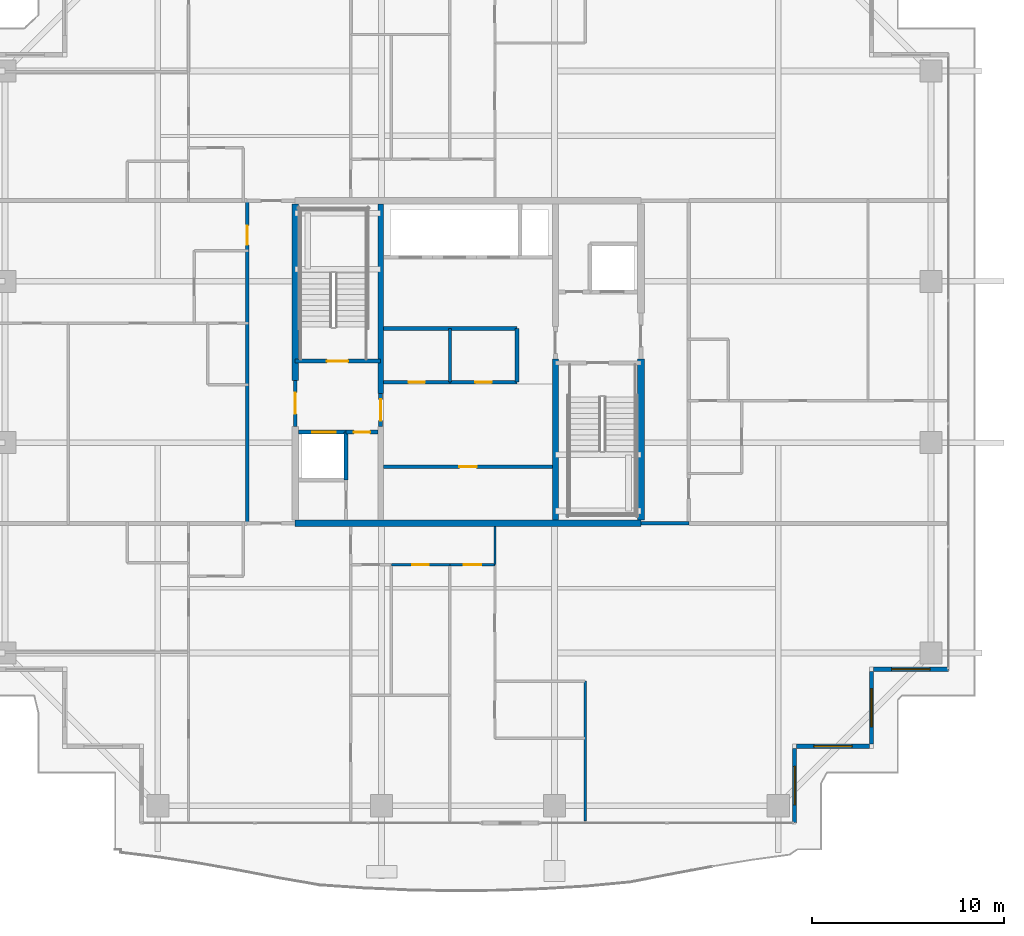
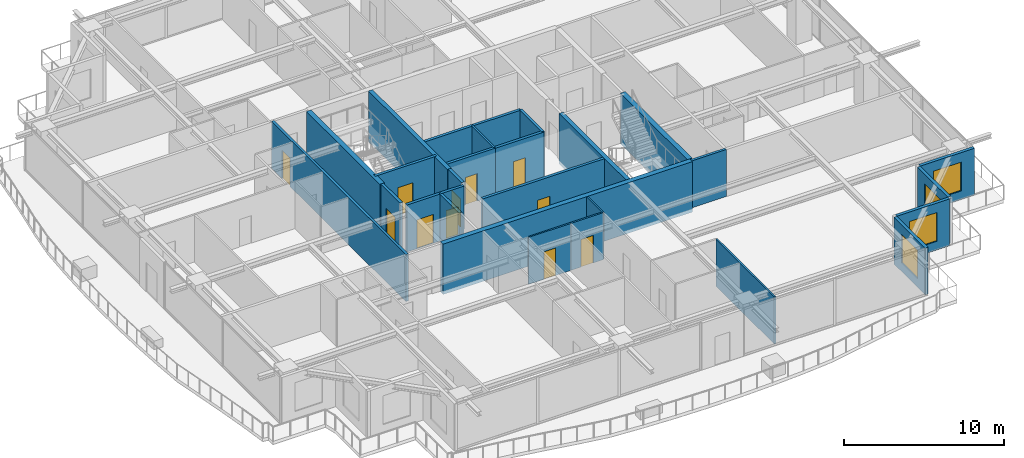
# One storey, part 26 of 36: 27 walls, 11 doors, 4 windows, 15 openings.
"""IFC4 building model written with IfcOpenShell, lengths in metres."""

from ifc_helpers import new_model, si_unit, direction, frame, frame_2d, origin, place, context, subcontext, project, spatial, rectangle, extrude, source, transform, mapped, material, layer, layer_set, type_object, element, fill, save


model = new_model("IFC4")

# Units and contexts
model_context = context("Model", 3, precision=1e-05, world=origin(), true_north=direction((0.0, 1.0)))
body_context = subcontext(model_context, "Body", "Model", "MODEL_VIEW")
ifc_project = project(units=[si_unit("LENGTHUNIT", "METRE"), si_unit("AREAUNIT", "SQUARE_METRE"), si_unit("VOLUMEUNIT", "CUBIC_METRE"), si_unit("PLANEANGLEUNIT", "RADIAN"), si_unit("MASSUNIT", "GRAM", prefix="KILO")], contexts=[model_context])

# Site, building, storey
site_placement = place(None, origin())
site = spatial("IfcSite", under=ifc_project, at=site_placement, CompositionType="ELEMENT")
building_placement = place(site_placement, origin())
building = spatial("IfcBuilding", under=site, at=building_placement, Name="Serunith Strait Residences", CompositionType="ELEMENT")
storey_placement = place(building_placement, frame((0.0, 0.0, 225.85009765625)))
storey = spatial("IfcBuildingStorey", under=building, at=storey_placement, Name="L56", CompositionType="ELEMENT", Elevation=225.85009765625)

# Wall, opening, window
ifc_material_1 = material(Name="Pale-Champagne Aluminium Insulated Panel", Category="aluminium")
ifc_layer_1 = layer(ifc_material_1, 0.219970703125, Name="Pale-Champagne Aluminium Insulated Panel")
ifc_layer_set_1 = layer_set([ifc_layer_1], Name="Pale-Champagne Aluminium Insulated Panel")
wall_type_1 = type_object("IfcWallType", Name="EW-ALUM-220", PredefinedType="ELEMENTEDWALL", material=ifc_layer_set_1)
wall_1_placement = place(storey_placement, frame((49.39990234375, 1.199951171875, 0.0), z_axis=(0.0, 0.0, 1.0), x_axis=(0.0, 1.0, 0.0)))
wall_1 = element("IfcWall", 1, at=wall_1_placement, inside=storey, type_object=wall_type_1, Name="L56 Girih Serrated Corner Wall 02", PredefinedType="ELEMENTEDWALL", context=body_context, shape_type="SweptSolid", body=[
    extrude(rectangle(XDim=3.89013671875, YDim=0.219970703125, at=frame_2d((1.945068359375, 0.0))), origin(), (0.0, 0.0, 1.0), 3.574951171875),
])
opening_1_placement = place(wall_1_placement, frame((0.945068359375, 0.0, 0.64990234375)))
opening_1 = element("IfcOpeningElement", 2, at=opening_1_placement, cuts=wall_1, Name="Opening W-04", PredefinedType="OPENING", context=body_context, shape_type="SweptSolid", body=[
    extrude(rectangle(XDim=2.0, YDim=2.199951171875, at=frame_2d((1.0, 1.10009765625))), frame((0.0, 0.1201171875, 0.0), z_axis=(0.0, -1.0, 0.0), x_axis=(1.0, 0.0, 0.0)), (0.0, 0.0, 1.0), 0.239990234375),
])
ifc_material_2 = material(Name="Ceramic-Fritted Operable Aluminium Window Glass", Category="aluminium")
window_type = type_object("IfcWindowType", Name="WIN-C4", PartitioningType="TRIPLE_PANEL_VERTICAL", PredefinedType="WINDOW", material=ifc_material_2)
shared_shape_1 = source(origin(), body_context, "Body", "SweptSolid", [
    extrude(rectangle(XDim=2.0, YDim=2.199951171875, at=frame_2d((1.0, 1.10009765625))), frame((0.0, 0.030029296875, 0.0), z_axis=(0.0, -1.0, 0.0), x_axis=(1.0, 0.0, 0.0)), (0.0, 0.0, 1.0), 0.06005859375),
])
window_1_placement = place(opening_1_placement, origin())
window_1 = element("IfcWindow", 3, at=window_1_placement, inside=storey, type_object=window_type, Name="L56 Corner Operable Fritted Window 02", OverallHeight=2.199951171875, OverallWidth=2.0, PartitioningType="SINGLE_PANEL", PredefinedType="WINDOW", context=body_context, shape_type="MappedRepresentation", body=[
    mapped(shared_shape_1, transform((0.0, 0.0, 0.0), scale=1.0)),
])
fill(opening_1, window_1)

wall_2_placement = place(storey_placement, frame((49.510009765625, 5.199951171875, 0.0), z_axis=(0.0, 0.0, 1.0), x_axis=(1.0, 0.0, 0.0)))
wall_2 = element("IfcWall", 4, at=wall_2_placement, inside=storey, type_object=wall_type_1, Name="L56 Girih Serrated Corner Wall 03", PredefinedType="ELEMENTEDWALL", context=body_context, shape_type="SweptSolid", body=[
    extrude(rectangle(XDim=3.780029296875, YDim=0.219970703125, at=frame_2d((1.89013671875, 0.0))), origin(), (0.0, 0.0, 1.0), 3.574951171875),
])
opening_2_placement = place(wall_2_placement, frame((0.889892578125, 0.0, 0.64990234375)))
opening_2 = element("IfcOpeningElement", 5, at=opening_2_placement, cuts=wall_2, Name="Opening W-04", PredefinedType="OPENING", context=body_context, shape_type="SweptSolid", body=[
    extrude(rectangle(XDim=2.0, YDim=2.199951171875, at=frame_2d((1.0, 1.10009765625))), frame((0.0, 0.1201171875, 0.0), z_axis=(0.0, -1.0, 0.0), x_axis=(1.0, 0.0, 0.0)), (0.0, 0.0, 1.0), 0.239990234375),
])
window_2_placement = place(opening_2_placement, origin())
window_2 = element("IfcWindow", 6, at=window_2_placement, inside=storey, type_object=window_type, Name="L56 Corner Operable Fritted Window 03", OverallHeight=2.199951171875, OverallWidth=2.0, PartitioningType="SINGLE_PANEL", PredefinedType="WINDOW", context=body_context, shape_type="MappedRepresentation", body=[
    mapped(shared_shape_1, transform((0.0, 0.0, 0.0), scale=1.0)),
])
fill(opening_2, window_2)

wall_3_placement = place(storey_placement, frame((53.39990234375, 5.31005859375, 0.0), z_axis=(0.0, 0.0, 1.0), x_axis=(0.0, 1.0, 0.0)))
wall_3 = element("IfcWall", 7, at=wall_3_placement, inside=storey, type_object=wall_type_1, Name="L56 Girih Serrated Corner Wall 04", PredefinedType="ELEMENTEDWALL", context=body_context, shape_type="SweptSolid", body=[
    extrude(rectangle(XDim=3.780029296875, YDim=0.219970703125, at=frame_2d((1.89013671875, 0.0))), origin(), (0.0, 0.0, 1.0), 3.574951171875),
])
opening_3_placement = place(wall_3_placement, frame((0.889892578125, 0.0, 0.64990234375)))
opening_3 = element("IfcOpeningElement", 8, at=opening_3_placement, cuts=wall_3, Name="Opening W-04", PredefinedType="OPENING", context=body_context, shape_type="SweptSolid", body=[
    extrude(rectangle(XDim=2.0, YDim=2.199951171875, at=frame_2d((1.0, 1.10009765625))), frame((0.0, 0.1201171875, 0.0), z_axis=(0.0, -1.0, 0.0), x_axis=(1.0, 0.0, 0.0)), (0.0, 0.0, 1.0), 0.239990234375),
])
window_3_placement = place(opening_3_placement, origin())
window_3 = element("IfcWindow", 9, at=window_3_placement, inside=storey, type_object=window_type, Name="L56 Corner Operable Fritted Window 04", OverallHeight=2.199951171875, OverallWidth=2.0, PartitioningType="SINGLE_PANEL", PredefinedType="WINDOW", context=body_context, shape_type="MappedRepresentation", body=[
    mapped(shared_shape_1, transform((0.0, 0.0, 0.0), scale=1.0)),
])
fill(opening_3, window_3)

wall_4_placement = place(storey_placement, frame((53.510009765625, 9.199951171875, 0.0), z_axis=(0.0, 0.0, 1.0), x_axis=(1.0, 0.0, 0.0)))
wall_4 = element("IfcWall", 10, at=wall_4_placement, inside=storey, type_object=wall_type_1, Name="L56 Girih Serrated Corner Wall 05", PredefinedType="ELEMENTEDWALL", context=body_context, shape_type="SweptSolid", body=[
    extrude(rectangle(XDim=3.889892578125, YDim=0.219970703125, at=frame_2d((1.94482421875, 0.0))), origin(), (0.0, 0.0, 1.0), 3.574951171875),
])
opening_4_placement = place(wall_4_placement, frame((0.945068359375, 0.0, 0.64990234375)))
opening_4 = element("IfcOpeningElement", 11, at=opening_4_placement, cuts=wall_4, Name="Opening W-04", PredefinedType="OPENING", context=body_context, shape_type="SweptSolid", body=[
    extrude(rectangle(XDim=2.0, YDim=2.199951171875, at=frame_2d((1.0, 1.10009765625))), frame((0.0, 0.1201171875, 0.0), z_axis=(0.0, -1.0, 0.0), x_axis=(1.0, 0.0, 0.0)), (0.0, 0.0, 1.0), 0.239990234375),
])
window_4_placement = place(opening_4_placement, origin())
window_4 = element("IfcWindow", 12, at=window_4_placement, inside=storey, type_object=window_type, Name="L56 Corner Operable Fritted Window 05", OverallHeight=2.199951171875, OverallWidth=2.0, PartitioningType="SINGLE_PANEL", PredefinedType="WINDOW", context=body_context, shape_type="MappedRepresentation", body=[
    mapped(shared_shape_1, transform((0.0, 0.0, 0.0), scale=1.0)),
])
fill(opening_4, window_4)

# Wall
ifc_material_3 = material(Name="Fire-rated masonry service closet wall", Category="masonry")
ifc_layer_2 = layer(ifc_material_3, 0.14990234375, Name="Fire-rated masonry service closet wall")
ifc_layer_set_2 = layer_set([ifc_layer_2], Name="Fire-rated masonry service closet wall")
wall_type_2 = type_object("IfcWallType", Name="IW-BOH-150", PredefinedType="PARTITIONING", material=ifc_layer_set_2)
wall_5_placement = place(storey_placement, frame((31.449951171875, 24.14990234375, 0.0), z_axis=(0.0, 0.0, 1.0), x_axis=(0.0, 1.0, 0.0)))
element("IfcWall", 13, at=wall_5_placement, inside=storey, type_object=wall_type_2, Name="L56 Partition Wall 017", PredefinedType="PARTITIONING", context=body_context, shape_type="SweptSolid", body=[
    extrude(rectangle(XDim=2.800048828125, YDim=0.14990234375, at=frame_2d((1.39990234375, 0.0))), origin(), (0.0, 0.0, 1.0), 3.58984375),
])

# Wall, opening, door
ifc_material_4 = material(Name="Fire-rated acoustic gypsum partition")
ifc_layer_3 = layer(ifc_material_4, 0.179931640625, Name="Fire-rated acoustic gypsum partition")
ifc_layer_set_3 = layer_set([ifc_layer_3], Name="Fire-rated acoustic gypsum partition")
wall_type_3 = type_object("IfcWallType", Name="IW-CORR-180", PredefinedType="PARTITIONING", material=ifc_layer_set_3)
wall_6_placement = place(storey_placement, frame((20.89990234375, 16.800048828125, 0.0), z_axis=(0.0, 0.0, 1.0), x_axis=(0.0, 1.0, 0.0)))
wall_6 = element("IfcWall", 14, at=wall_6_placement, inside=storey, type_object=wall_type_3, Name="L56 Partition Wall 024", PredefinedType="PARTITIONING", context=body_context, shape_type="SweptSolid", body=[
    extrude(rectangle(XDim=16.800048828125, YDim=0.179931640625, at=frame_2d((8.39990234375, 0.0))), origin(), (0.0, 0.0, 1.0), 3.58984375),
])
opening_5_placement = place(wall_6_placement, frame((14.5, 0.0, 0.0)))
opening_5 = element("IfcOpeningElement", 15, at=opening_5_placement, cuts=wall_6, Name="Opening D-APT1000", PredefinedType="OPENING", context=body_context, shape_type="SweptSolid", body=[
    extrude(rectangle(XDim=1.0, YDim=2.14990234375, at=frame_2d((0.5, 1.074951171875))), frame((0.0, 0.10009765625, 0.0), z_axis=(0.0, -1.0, 0.0), x_axis=(1.0, 0.0, 0.0)), (0.0, 0.0, 1.0), 0.199951171875),
])
ifc_material_5 = material(Name="Solid timber engineered fire door", Category="wood")
door_type_1 = type_object("IfcDoorType", Name="ID-APT-1000", OperationType="NOTDEFINED", PredefinedType="DOOR", material=ifc_material_5)
shared_shape_2 = source(origin(), body_context, "Body", "SweptSolid", [
    extrude(rectangle(XDim=1.0, YDim=2.14990234375, at=frame_2d((0.5, 1.074951171875))), frame((0.0, 0.02490234375, 0.0), z_axis=(0.0, -1.0, 0.0), x_axis=(1.0, 0.0, 0.0)), (0.0, 0.0, 1.0), 0.050048828125),
])
door_1_placement = place(opening_5_placement, origin())
door_1 = element("IfcDoor", 16, at=door_1_placement, inside=storey, type_object=door_type_1, Name="L56 Unit 03 Entrance Door", OperationType="SINGLE_SWING_LEFT", OverallHeight=2.14990234375, OverallWidth=1.0, PredefinedType="DOOR", context=body_context, shape_type="MappedRepresentation", body=[
    mapped(shared_shape_2, transform((0.0, 0.0, 0.0), scale=1.0)),
])
fill(opening_5, door_1)

# Wall
wall_7_placement = place(storey_placement, frame((41.402099609375, 16.800048828125, 0.0), z_axis=(0.0, 0.0, 1.0), x_axis=(1.0, 0.0, 0.0)))
element("IfcWall", 17, at=wall_7_placement, inside=storey, type_object=wall_type_3, Name="L56 Partition Wall 025", PredefinedType="PARTITIONING", context=body_context, shape_type="SweptSolid", body=[
    extrude(rectangle(XDim=2.495849609375, YDim=0.179931640625, at=frame_2d((1.248046875, 0.0))), origin(), (0.0, 0.0, 1.0), 3.58984375),
])

# Wall, opening, door
ifc_material_6 = material(Name="Lightweight steel-stud gypsum partition", Category="steel")
ifc_layer_4 = layer(ifc_material_6, 0.1201171875, Name="Lightweight steel-stud gypsum partition")
ifc_layer_set_4 = layer_set([ifc_layer_4], Name="Lightweight steel-stud gypsum partition")
wall_type_4 = type_object("IfcWallType", Name="IW-PART-120", PredefinedType="PARTITIONING", material=ifc_layer_set_4)
wall_8_placement = place(storey_placement, frame((28.402099609375, 14.64990234375, 0.0), z_axis=(0.0, 0.0, 1.0), x_axis=(1.0, 0.0, 0.0)))
wall_8 = element("IfcWall", 18, at=wall_8_placement, inside=storey, type_object=wall_type_4, Name="L56 Partition Wall 043", PredefinedType="PARTITIONING", context=body_context, shape_type="SweptSolid", body=[
    extrude(rectangle(XDim=3.0478515625, YDim=0.1201171875, at=frame_2d((1.52392578125, 0.0))), origin(), (0.0, 0.0, 1.0), 3.58984375),
])
opening_6_placement = place(wall_8_placement, frame((1.09912109375, 0.0, 0.0)))
opening_6 = element("IfcOpeningElement", 19, at=opening_6_placement, cuts=wall_8, Name="Opening D-RM850", PredefinedType="OPENING", context=body_context, shape_type="SweptSolid", body=[
    extrude(rectangle(XDim=0.85009765625, YDim=2.10009765625, at=frame_2d((0.425048828125, 1.050048828125))), frame((0.0, 0.070068359375, 0.0), z_axis=(0.0, -1.0, 0.0), x_axis=(1.0, 0.0, 0.0)), (0.0, 0.0, 1.0), 0.14013671875),
])
ifc_material_7 = material(Name="Engineered timber flush study and kitchen door", Category="wood")
door_type_2 = type_object("IfcDoorType", Name="ID-ROOM-850", OperationType="NOTDEFINED", PredefinedType="DOOR", material=ifc_material_7)
shared_shape_3 = source(origin(), body_context, "Body", "SweptSolid", [
    extrude(rectangle(XDim=0.85009765625, YDim=2.10009765625, at=frame_2d((0.425048828125, 1.050048828125))), frame((0.0, 0.02490234375, 0.0), z_axis=(0.0, -1.0, 0.0), x_axis=(1.0, 0.0, 0.0)), (0.0, 0.0, 1.0), 0.050048828125),
])
door_2_placement = place(opening_6_placement, origin())
door_2 = element("IfcDoor", 20, at=door_2_placement, inside=storey, type_object=door_type_2, Name="L56 Formal Dining Room 5601 Door", OperationType="SINGLE_SWING_RIGHT", OverallHeight=2.10009765625, OverallWidth=0.85009765625, PredefinedType="DOOR", context=body_context, shape_type="MappedRepresentation", body=[
    mapped(shared_shape_3, transform((0.0, 0.0, 0.0), scale=1.0)),
])
fill(opening_6, door_2)

wall_9_placement = place(storey_placement, frame((31.451904296875, 14.64990234375, 0.0), z_axis=(0.0, 0.0, 1.0), x_axis=(1.0, 0.0, 0.0)))
wall_9 = element("IfcWall", 21, at=wall_9_placement, inside=storey, type_object=wall_type_4, Name="L56 Partition Wall 044", PredefinedType="PARTITIONING", context=body_context, shape_type="SweptSolid", body=[
    extrude(rectangle(XDim=2.34814453125, YDim=0.1201171875, at=frame_2d((1.174072265625, 0.0))), origin(), (0.0, 0.0, 1.0), 3.58984375),
])
opening_7_placement = place(wall_9_placement, frame((0.72412109375, 0.0, 0.0)))
opening_7 = element("IfcOpeningElement", 22, at=opening_7_placement, cuts=wall_9, Name="Opening D-RM900", PredefinedType="OPENING", context=body_context, shape_type="SweptSolid", body=[
    extrude(rectangle(XDim=0.89990234375, YDim=2.10009765625, at=frame_2d((0.449951171875, 1.050048828125))), frame((0.0, 0.070068359375, 0.0), z_axis=(0.0, -1.0, 0.0), x_axis=(1.0, 0.0, 0.0)), (0.0, 0.0, 1.0), 0.14013671875),
])
ifc_material_8 = material(Name="Engineered timber flush bedroom door", Category="wood")
door_type_3 = type_object("IfcDoorType", Name="ID-ROOM-900", OperationType="NOTDEFINED", PredefinedType="DOOR", material=ifc_material_8)
shared_shape_4 = source(origin(), body_context, "Body", "SweptSolid", [
    extrude(rectangle(XDim=0.89990234375, YDim=2.10009765625, at=frame_2d((0.449951171875, 1.050048828125))), frame((0.0, 0.02490234375, 0.0), z_axis=(0.0, -1.0, 0.0), x_axis=(1.0, 0.0, 0.0)), (0.0, 0.0, 1.0), 0.050048828125),
])
door_3_placement = place(opening_7_placement, origin())
door_3 = element("IfcDoor", 23, at=door_3_placement, inside=storey, type_object=door_type_3, Name="L56 Master Bedroom E 5601 Door", OperationType="SINGLE_SWING_LEFT", OverallHeight=2.10009765625, OverallWidth=0.89990234375, PredefinedType="DOOR", context=body_context, shape_type="MappedRepresentation", body=[
    mapped(shared_shape_4, transform((0.0, 0.0, 0.0), scale=1.0)),
])
fill(opening_7, door_3)

# Walls
wall_10_placement = place(storey_placement, frame((38.5, 1.294921875, 0.0), z_axis=(0.0, 0.0, 1.0), x_axis=(0.0, 1.0, 0.0)))
element("IfcWall", 24, at=wall_10_placement, inside=storey, type_object=wall_type_4, Name="L56 Partition Wall 046", PredefinedType="PARTITIONING", context=body_context, shape_type="SweptSolid", body=[
    extrude(rectangle(XDim=7.29296875, YDim=0.1201171875, at=frame_2d((3.646484375, 0.0))), origin(), (0.0, 0.0, 1.0), 3.58984375),
])
wall_11_placement = place(storey_placement, frame((33.800048828125, 14.652099609375, 0.0), z_axis=(0.0, 0.0, 1.0), x_axis=(0.0, 1.0, 0.0)))
element("IfcWall", 25, at=wall_11_placement, inside=storey, type_object=wall_type_4, Name="L56 Partition Wall 050", PredefinedType="PARTITIONING", context=body_context, shape_type="SweptSolid", body=[
    extrude(rectangle(XDim=1.972900390625, YDim=0.1201171875, at=frame_2d((0.986328125, 0.0))), origin(), (0.0, 0.0, 1.0), 3.58984375),
])

# Wall, opening, door
ifc_material_9 = material(Name="Autoclaved aerated concrete blockwork", Category="masonry")
ifc_layer_5 = layer(ifc_material_9, 0.199951171875, Name="Autoclaved aerated concrete blockwork")
ifc_layer_set_5 = layer_set([ifc_layer_5], Name="Autoclaved aerated concrete blockwork")
wall_type_5 = type_object("IfcWallType", Name="IW-SHAFT-200", PredefinedType="STANDARD", material=ifc_layer_set_5)
wall_12_placement = place(storey_placement, frame((23.39990234375, 25.25, 0.0), z_axis=(0.0, 0.0, 1.0), x_axis=(1.0, 0.0, 0.0)))
wall_12 = element("IfcWall", 26, at=wall_12_placement, inside=storey, type_object=wall_type_5, Name="L56 ST-1 South Shaft Wall", PredefinedType="STANDARD", context=body_context, shape_type="SweptSolid", body=[
    extrude(rectangle(XDim=4.4501953125, YDim=0.199951171875, at=frame_2d((2.22509765625, 0.0))), origin(), (0.0, 0.0, 1.0), 3.58984375),
])
opening_8_placement = place(wall_12_placement, frame((1.64990234375, 0.0, 0.0)))
opening_8 = element("IfcOpeningElement", 27, at=opening_8_placement, cuts=wall_12, Name="Opening FD-1100", PredefinedType="OPENING", context=body_context, shape_type="SweptSolid", body=[
    extrude(rectangle(XDim=1.10009765625, YDim=2.14990234375, at=frame_2d((0.550048828125, 1.074951171875))), frame((0.0, 0.10986328125, 0.0), z_axis=(0.0, -1.0, 0.0), x_axis=(1.0, 0.0, 0.0)), (0.0, 0.0, 1.0), 0.219970703125),
])
ifc_material_10 = material(Name="Galvanised steel fire door leaf", Category="steel")
door_type_4 = type_object("IfcDoorType", Name="FD-STAIR-1100", OperationType="NOTDEFINED", PredefinedType="DOOR", material=ifc_material_10)
shared_shape_5 = source(origin(), body_context, "Body", "SweptSolid", [
    extrude(rectangle(XDim=1.10009765625, YDim=2.14990234375, at=frame_2d((0.550048828125, 1.074951171875))), frame((0.0, 0.02490234375, 0.0), z_axis=(0.0, -1.0, 0.0), x_axis=(1.0, 0.0, 0.0)), (0.0, 0.0, 1.0), 0.050048828125),
])
door_4_placement = place(opening_8_placement, origin())
door_4 = element("IfcDoor", 28, at=door_4_placement, inside=storey, type_object=door_type_4, Name="L56 ST-1 Escape Stair Door", OperationType="SINGLE_SWING_RIGHT", OverallHeight=2.14990234375, OverallWidth=1.10009765625, PredefinedType="DOOR", context=body_context, shape_type="MappedRepresentation", body=[
    mapped(shared_shape_5, transform((0.0, 0.0, 0.0), scale=1.0)),
])
fill(opening_8, door_4)

wall_13_placement = place(storey_placement, frame((23.574951171875, 21.550048828125, 0.0), z_axis=(0.0, 0.0, 1.0), x_axis=(1.0, 0.0, 0.0)))
wall_13 = element("IfcWall", 29, at=wall_13_placement, inside=storey, type_object=wall_type_5, Name="L56 FL-1 North Shaft Wall", PredefinedType="STANDARD", context=body_context, shape_type="SweptSolid", body=[
    extrude(rectangle(XDim=2.47509765625, YDim=0.199951171875, at=frame_2d((1.237548828125, 0.0))), origin(), (0.0, 0.0, 1.0), 3.58984375),
])
opening_9_placement = place(wall_13_placement, frame((0.72509765625, 0.0, 0.0)))
opening_9 = element("IfcOpeningElement", 30, at=opening_9_placement, cuts=wall_13, Name="Opening LD-FF1200", PredefinedType="OPENING", context=body_context, shape_type="SweptSolid", body=[
    extrude(rectangle(XDim=1.199951171875, YDim=2.199951171875, at=frame_2d((0.60009765625, 1.10009765625))), frame((0.0, 0.10986328125, 0.0), z_axis=(0.0, -1.0, 0.0), x_axis=(1.0, 0.0, 0.0)), (0.0, 0.0, 1.0), 0.219970703125),
])
ifc_material_11 = material(Name="Brushed stainless steel landing door", Category="steel")
door_type_5 = type_object("IfcDoorType", Name="LD-FF-1200", OperationType="DOUBLE_DOOR_SLIDING", PredefinedType="DOOR", material=ifc_material_11)
shared_shape_6 = source(origin(), body_context, "Body", "SweptSolid", [
    extrude(rectangle(XDim=1.199951171875, YDim=2.199951171875, at=frame_2d((0.60009765625, 1.10009765625))), frame((0.0, 0.02490234375, 0.0), z_axis=(0.0, -1.0, 0.0), x_axis=(1.0, 0.0, 0.0)), (0.0, 0.0, 1.0), 0.050048828125),
])
door_5_placement = place(opening_9_placement, origin())
door_5 = element("IfcDoor", 31, at=door_5_placement, inside=storey, type_object=door_type_5, Name="L56 FL-1 Landing Door", OperationType="DOUBLE_DOOR_SLIDING", OverallHeight=2.199951171875, OverallWidth=1.199951171875, PredefinedType="DOOR", context=body_context, shape_type="MappedRepresentation", body=[
    mapped(shared_shape_6, transform((0.0, 0.0, 0.0), scale=1.0)),
])
fill(opening_9, door_5)

# Wall
wall_14_placement = place(storey_placement, frame((26.050048828125, 19.050048828125, 0.0), z_axis=(0.0, 0.0, 1.0), x_axis=(0.0, 1.0, 0.0)))
element("IfcWall", 32, at=wall_14_placement, inside=storey, type_object=wall_type_5, Name="L56 Partition Wall 001", PredefinedType="STANDARD", context=body_context, shape_type="SweptSolid", body=[
    extrude(rectangle(XDim=2.5, YDim=0.199951171875, at=frame_2d((1.25, 0.0))), origin(), (0.0, 0.0, 1.0), 3.58984375),
])

# Wall, opening, door
wall_15_placement = place(storey_placement, frame((26.052001953125, 21.550048828125, 0.0), z_axis=(0.0, 0.0, 1.0), x_axis=(1.0, 0.0, 0.0)))
wall_15 = element("IfcWall", 33, at=wall_15_placement, inside=storey, type_object=wall_type_5, Name="L56 Partition Wall 003", PredefinedType="STANDARD", context=body_context, shape_type="SweptSolid", body=[
    extrude(rectangle(XDim=1.64794921875, YDim=0.199951171875, at=frame_2d((0.823974609375, 0.0))), origin(), (0.0, 0.0, 1.0), 3.58984375),
])
opening_10_placement = place(wall_15_placement, frame((0.39892578125, 0.0, 0.0)))
opening_10 = element("IfcOpeningElement", 34, at=opening_10_placement, cuts=wall_15, Name="Opening FD-850", PredefinedType="OPENING", context=body_context, shape_type="SweptSolid", body=[
    extrude(rectangle(XDim=0.85009765625, YDim=2.10009765625, at=frame_2d((0.425048828125, 1.050048828125))), frame((0.0, 0.10986328125, 0.0), z_axis=(0.0, -1.0, 0.0), x_axis=(1.0, 0.0, 0.0)), (0.0, 0.0, 1.0), 0.219970703125),
])
ifc_material_12 = material(Name="Powder-coated steel service closet door", Category="steel")
door_type_6 = type_object("IfcDoorType", Name="FD-BOH-850", OperationType="NOTDEFINED", PredefinedType="DOOR", material=ifc_material_12)
door_6_placement = place(opening_10_placement, origin())
door_6 = element("IfcDoor", 35, at=door_6_placement, inside=storey, type_object=door_type_6, Name="L56 South-West Core Service Door", OperationType="SINGLE_SWING_LEFT", OverallHeight=2.10009765625, OverallWidth=0.85009765625, PredefinedType="DOOR", context=body_context, shape_type="MappedRepresentation", body=[
    mapped(shared_shape_3, transform((0.0, 0.0, 0.0), scale=1.0)),
])
fill(opening_10, door_6)

wall_16_placement = place(storey_placement, frame((23.39990234375, 21.85205078125, 0.0), z_axis=(0.0, 0.0, 1.0), x_axis=(0.0, 1.0, 0.0)))
wall_16 = element("IfcWall", 36, at=wall_16_placement, inside=storey, type_object=wall_type_5, Name="L56 Partition Wall 007", PredefinedType="STANDARD", context=body_context, shape_type="SweptSolid", body=[
    extrude(rectangle(XDim=2.39599609375, YDim=0.199951171875, at=frame_2d((1.197998046875, 0.0))), origin(), (0.0, 0.0, 1.0), 3.58984375),
])
opening_11_placement = place(wall_16_placement, frame((0.64794921875, 0.0, 0.0)))
opening_11 = element("IfcOpeningElement", 37, at=opening_11_placement, cuts=wall_16, Name="Opening FD-FFL", PredefinedType="OPENING", context=body_context, shape_type="SweptSolid", body=[
    extrude(rectangle(XDim=1.10009765625, YDim=2.14990234375, at=frame_2d((0.550048828125, 1.074951171875))), frame((0.0, 0.10986328125, 0.0), z_axis=(0.0, -1.0, 0.0), x_axis=(1.0, 0.0, 0.0)), (0.0, 0.0, 1.0), 0.219970703125),
])
ifc_material_13 = material(Name="Glazed steel smoke-lobby fire door", Category="steel")
door_type_7 = type_object("IfcDoorType", Name="FD-FFL-1100", OperationType="NOTDEFINED", PredefinedType="DOOR", material=ifc_material_13)
door_7_placement = place(opening_11_placement, origin())
door_7 = element("IfcDoor", 38, at=door_7_placement, inside=storey, type_object=door_type_7, Name="L56 FFL-1 Corridor Fire Door", OperationType="SINGLE_SWING_LEFT", OverallHeight=2.14990234375, OverallWidth=1.10009765625, PredefinedType="DOOR", context=body_context, shape_type="MappedRepresentation", body=[
    mapped(shared_shape_5, transform((0.0, 0.0, 0.0), scale=1.0)),
])
fill(opening_11, door_7)

wall_17_placement = place(storey_placement, frame((27.85009765625, 21.85205078125, 0.0), z_axis=(0.0, 0.0, 1.0), x_axis=(0.0, 1.0, 0.0)))
wall_17 = element("IfcWall", 39, at=wall_17_placement, inside=storey, type_object=wall_type_5, Name="L56 Partition Wall 009", PredefinedType="STANDARD", context=body_context, shape_type="SweptSolid", body=[
    extrude(rectangle(XDim=1.696044921875, YDim=0.199951171875, at=frame_2d((0.84814453125, 0.0))), origin(), (0.0, 0.0, 1.0), 3.58984375),
])
opening_12_placement = place(wall_17_placement, frame((0.298095703125, 0.0, 0.0)))
opening_12 = element("IfcOpeningElement", 40, at=opening_12_placement, cuts=wall_17, Name="Opening FD-FFL", PredefinedType="OPENING", context=body_context, shape_type="SweptSolid", body=[
    extrude(rectangle(XDim=1.10009765625, YDim=2.14990234375, at=frame_2d((0.550048828125, 1.074951171875))), frame((0.0, 0.10986328125, 0.0), z_axis=(0.0, -1.0, 0.0), x_axis=(1.0, 0.0, 0.0)), (0.0, 0.0, 1.0), 0.219970703125),
])
door_8_placement = place(opening_12_placement, origin())
door_8 = element("IfcDoor", 41, at=door_8_placement, inside=storey, type_object=door_type_7, Name="L56 FFL-1 Lift Lobby Door", OperationType="SINGLE_SWING_LEFT", OverallHeight=2.14990234375, OverallWidth=1.10009765625, PredefinedType="DOOR", context=body_context, shape_type="MappedRepresentation", body=[
    mapped(shared_shape_5, transform((0.0, 0.0, 0.0), scale=1.0)),
])
fill(opening_12, door_8)

wall_18_placement = place(storey_placement, frame((28.0, 19.75, 0.0), z_axis=(0.0, 0.0, 1.0), x_axis=(1.0, 0.0, 0.0)))
wall_18 = element("IfcWall", 42, at=wall_18_placement, inside=storey, type_object=wall_type_5, Name="L56 Partition Wall 012", PredefinedType="STANDARD", context=body_context, shape_type="SweptSolid", body=[
    extrude(rectangle(XDim=8.800048828125, YDim=0.199951171875, at=frame_2d((4.39990234375, 0.0))), origin(), (0.0, 0.0, 1.0), 3.58984375),
])
opening_13_placement = place(wall_18_placement, frame((3.949951171875, 0.0, 0.0)))
opening_13 = element("IfcOpeningElement", 43, at=opening_13_placement, cuts=wall_18, Name="Opening FD-900", PredefinedType="OPENING", context=body_context, shape_type="SweptSolid", body=[
    extrude(rectangle(XDim=0.89990234375, YDim=2.10009765625, at=frame_2d((0.449951171875, 1.050048828125))), frame((0.0, 0.10986328125, 0.0), z_axis=(0.0, -1.0, 0.0), x_axis=(1.0, 0.0, 0.0)), (0.0, 0.0, 1.0), 0.219970703125),
])
ifc_material_14 = material(Name="Powder-coated steel riser door", Category="steel")
door_type_8 = type_object("IfcDoorType", Name="FD-BOH-900", OperationType="NOTDEFINED", PredefinedType="DOOR", material=ifc_material_14)
door_9_placement = place(opening_13_placement, origin())
door_9 = element("IfcDoor", 44, at=door_9_placement, inside=storey, type_object=door_type_8, Name="L56 Reclaimed BMS Plant Door", OperationType="SINGLE_SWING_RIGHT", OverallHeight=2.10009765625, OverallWidth=0.89990234375, PredefinedType="DOOR", context=body_context, shape_type="MappedRepresentation", body=[
    mapped(shared_shape_4, transform((0.0, 0.0, 0.0), scale=1.0)),
])
fill(opening_13, door_9)

# Walls
wall_19_placement = place(storey_placement, frame((28.0, 26.949951171875, 0.0), z_axis=(0.0, 0.0, 1.0), x_axis=(1.0, 0.0, 0.0)))
element("IfcWall", 45, at=wall_19_placement, inside=storey, type_object=wall_type_5, Name="L56 Partition Wall 013", PredefinedType="STANDARD", context=body_context, shape_type="SweptSolid", body=[
    extrude(rectangle(XDim=6.949951171875, YDim=0.199951171875, at=frame_2d((3.47509765625, 0.0))), origin(), (0.0, 0.0, 1.0), 3.58984375),
])
wall_20_placement = place(storey_placement, frame((34.949951171875, 24.14990234375, 0.0), z_axis=(0.0, 0.0, 1.0), x_axis=(0.0, 1.0, 0.0)))
element("IfcWall", 46, at=wall_20_placement, inside=storey, type_object=wall_type_5, Name="L56 Partition Wall 014", PredefinedType="STANDARD", context=body_context, shape_type="SweptSolid", body=[
    extrude(rectangle(XDim=2.800048828125, YDim=0.199951171875, at=frame_2d((1.39990234375, 0.0))), origin(), (0.0, 0.0, 1.0), 3.58984375),
])

# Wall, opening, door
wall_21_placement = place(storey_placement, frame((28.0, 24.14990234375, 0.0), z_axis=(0.0, 0.0, 1.0), x_axis=(1.0, 0.0, 0.0)))
wall_21 = element("IfcWall", 47, at=wall_21_placement, inside=storey, type_object=wall_type_5, Name="L56 Partition Wall 015", PredefinedType="STANDARD", context=body_context, shape_type="SweptSolid", body=[
    extrude(rectangle(XDim=3.449951171875, YDim=0.199951171875, at=frame_2d((1.72509765625, 0.0))), origin(), (0.0, 0.0, 1.0), 3.58984375),
])
opening_14_placement = place(wall_21_placement, frame((1.300048828125, 0.0, 0.0)))
opening_14 = element("IfcOpeningElement", 48, at=opening_14_placement, cuts=wall_21, Name="Opening FD-850", PredefinedType="OPENING", context=body_context, shape_type="SweptSolid", body=[
    extrude(rectangle(XDim=0.85009765625, YDim=2.10009765625, at=frame_2d((0.425048828125, 1.050048828125))), frame((0.0, 0.10986328125, 0.0), z_axis=(0.0, -1.0, 0.0), x_axis=(1.0, 0.0, 0.0)), (0.0, 0.0, 1.0), 0.219970703125),
])
door_10_placement = place(opening_14_placement, origin())
door_10 = element("IfcDoor", 49, at=door_10_placement, inside=storey, type_object=door_type_6, Name="L56 Concierge Store Door", OperationType="SINGLE_SWING_LEFT", OverallHeight=2.10009765625, OverallWidth=0.85009765625, PredefinedType="DOOR", context=body_context, shape_type="MappedRepresentation", body=[
    mapped(shared_shape_3, transform((0.0, 0.0, 0.0), scale=1.0)),
])
fill(opening_14, door_10)

wall_22_placement = place(storey_placement, frame((31.451904296875, 24.14990234375, 0.0), z_axis=(0.0, 0.0, 1.0), x_axis=(1.0, 0.0, 0.0)))
wall_22 = element("IfcWall", 50, at=wall_22_placement, inside=storey, type_object=wall_type_5, Name="L56 Partition Wall 016", PredefinedType="STANDARD", context=body_context, shape_type="SweptSolid", body=[
    extrude(rectangle(XDim=3.498046875, YDim=0.199951171875, at=frame_2d((1.7490234375, 0.0))), origin(), (0.0, 0.0, 1.0), 3.58984375),
])
opening_15_placement = place(wall_22_placement, frame((1.323974609375, 0.0, 0.0)))
opening_15 = element("IfcOpeningElement", 51, at=opening_15_placement, cuts=wall_22, Name="Opening FD-850", PredefinedType="OPENING", context=body_context, shape_type="SweptSolid", body=[
    extrude(rectangle(XDim=0.85009765625, YDim=2.10009765625, at=frame_2d((0.425048828125, 1.050048828125))), frame((0.0, 0.10986328125, 0.0), z_axis=(0.0, -1.0, 0.0), x_axis=(1.0, 0.0, 0.0)), (0.0, 0.0, 1.0), 0.219970703125),
])
door_11_placement = place(opening_15_placement, origin())
door_11 = element("IfcDoor", 52, at=door_11_placement, inside=storey, type_object=door_type_6, Name="L56 Upper Telecoms Door", OperationType="SINGLE_SWING_RIGHT", OverallHeight=2.10009765625, OverallWidth=0.85009765625, PredefinedType="DOOR", context=body_context, shape_type="MappedRepresentation", body=[
    mapped(shared_shape_3, transform((0.0, 0.0, 0.0), scale=1.0)),
])
fill(opening_15, door_11)

# Walls
ifc_material_15 = material(Name="Concrete C60/75", Category="concrete")
ifc_layer_6 = layer(ifc_material_15, 0.300048828125, Name="Concrete C60/75")
ifc_layer_set_6 = layer_set([ifc_layer_6], Name="Concrete C60/75")
wall_type_6 = type_object("IfcWallType", Name="SW-300-C60", PredefinedType="SHEAR", material=ifc_layer_set_6)
wall_23_placement = place(storey_placement, frame((27.85009765625, 23.550048828125, -0.260009765625), z_axis=(0.0, 0.0, 1.0), x_axis=(0.0, 1.0, 0.0)))
element("IfcWall", 53, at=wall_23_placement, inside=storey, type_object=wall_type_6, Name="L56 Core Internal West Web North Pier", PredefinedType="SHEAR", context=body_context, shape_type="SweptSolid", body=[
    extrude(rectangle(XDim=9.875, YDim=0.300048828125, at=frame_2d((4.9375, 0.0))), origin(), (0.0, 0.0, 1.0), 3.847900390625),
])
wall_24_placement = place(storey_placement, frame((36.949951171875, 16.97509765625, -0.260009765625), z_axis=(0.0, 0.0, 1.0), x_axis=(0.0, 1.0, 0.0)))
element("IfcWall", 54, at=wall_24_placement, inside=storey, type_object=wall_type_6, Name="L56 Core Internal East Web South Pier", PredefinedType="SHEAR", context=body_context, shape_type="SweptSolid", body=[
    extrude(rectangle(XDim=8.375, YDim=0.300048828125, at=frame_2d((4.1875, 0.0))), origin(), (0.0, 0.0, 1.0), 3.847900390625),
])
ifc_layer_7 = layer(ifc_material_15, 0.35009765625, Name="Concrete C60/75")
ifc_layer_set_7 = layer_set([ifc_layer_7], Name="Concrete C60/75")
wall_type_7 = type_object("IfcWallType", Name="SW-350-C60", PredefinedType="SHEAR", material=ifc_layer_set_7)
wall_25_placement = place(storey_placement, frame((23.39990234375, 16.800048828125, -0.260009765625), z_axis=(0.0, 0.0, 1.0), x_axis=(1.0, 0.0, 0.0)))
element("IfcWall", 55, at=wall_25_placement, inside=storey, type_object=wall_type_7, Name="L56 Core South Shear Wall", PredefinedType="SHEAR", context=body_context, shape_type="SweptSolid", body=[
    extrude(rectangle(XDim=18.0, YDim=0.35009765625, at=frame_2d((9.0, 0.0))), origin(), (0.0, 0.0, 1.0), 3.847900390625),
])
wall_26_placement = place(storey_placement, frame((23.39990234375, 24.25, -0.260009765625), z_axis=(0.0, 0.0, 1.0), x_axis=(0.0, 1.0, 0.0)))
element("IfcWall", 56, at=wall_26_placement, inside=storey, type_object=wall_type_7, Name="L56 Core West Shear Wall North Pier", PredefinedType="SHEAR", context=body_context, shape_type="SweptSolid", body=[
    extrude(rectangle(XDim=9.175048828125, YDim=0.35009765625, at=frame_2d((4.58740234375, 0.0))), origin(), (0.0, 0.0, 1.0), 3.847900390625),
])
wall_27_placement = place(storey_placement, frame((41.39990234375, 16.97509765625, -0.260009765625), z_axis=(0.0, 0.0, 1.0), x_axis=(0.0, 1.0, 0.0)))
element("IfcWall", 57, at=wall_27_placement, inside=storey, type_object=wall_type_7, Name="L56 Core East Shear Wall South Pier", PredefinedType="SHEAR", context=body_context, shape_type="SweptSolid", body=[
    extrude(rectangle(XDim=8.375, YDim=0.35009765625, at=frame_2d((4.1875, 0.0))), origin(), (0.0, 0.0, 1.0), 3.847900390625),
])

save(model, "model.ifc")
